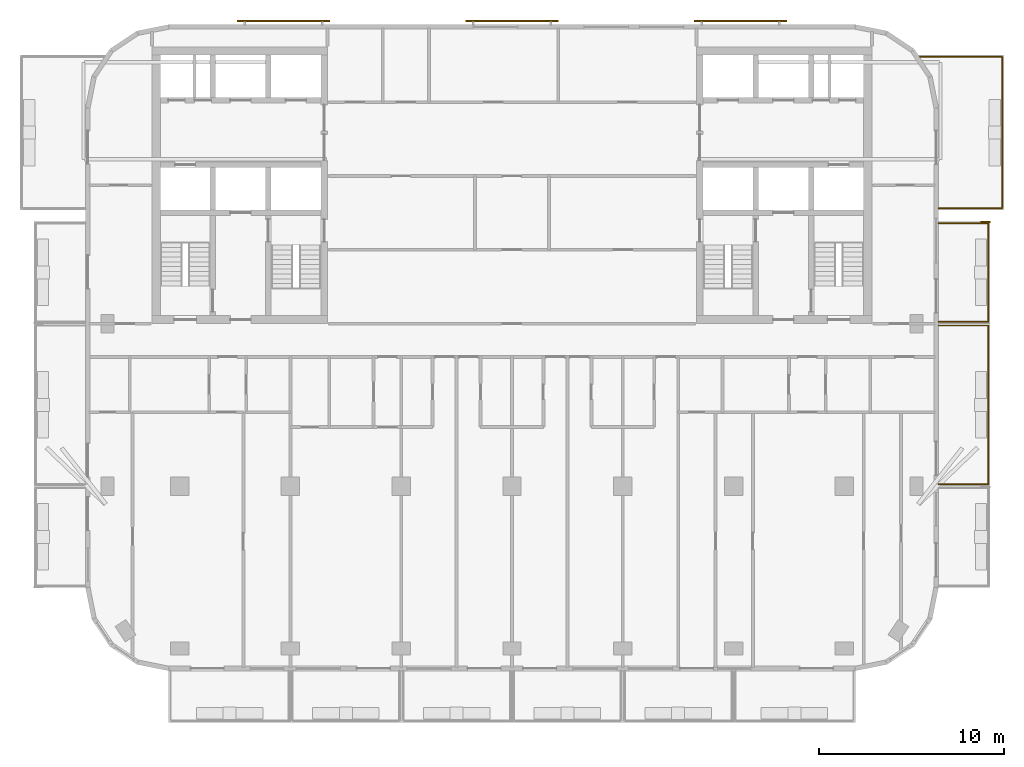
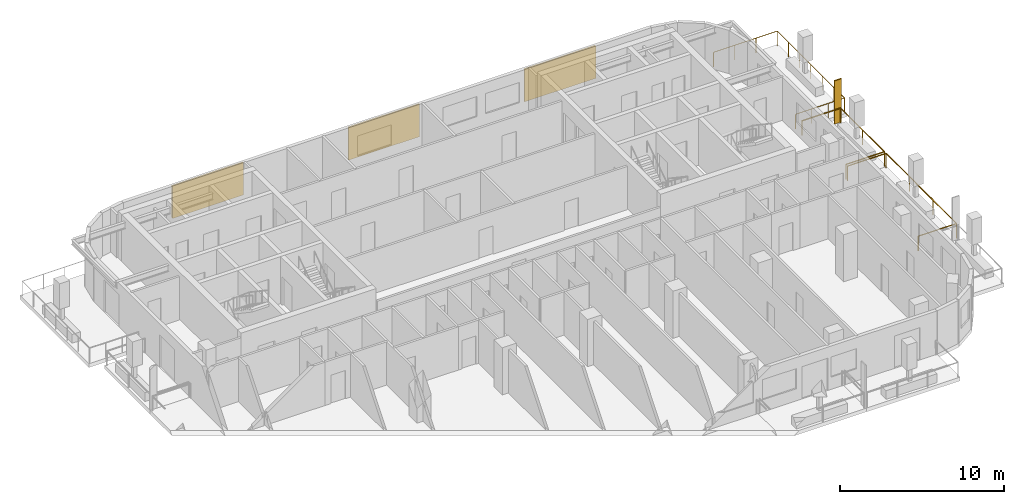
# One storey, part 10 of 11: 4 shading devices, 3 railings.
"""IFC4 building model written with IfcOpenShell, lengths in metres."""

from ifc_helpers import new_model, si_unit, direction, frame, origin, origin_2d, place, context, subcontext, project, spatial, rectangle, circle, extrude, material, layer, layer_set, type_object, element, save


model = new_model("IFC4")

# Units and contexts
model_context = context("Model", 3, precision=1e-05, world=origin(), true_north=direction((0.0, 1.0)))
body_context = subcontext(model_context, "Body", "Model", "MODEL_VIEW")
ifc_project = project(units=[si_unit("LENGTHUNIT", "METRE"), si_unit("AREAUNIT", "SQUARE_METRE"), si_unit("VOLUMEUNIT", "CUBIC_METRE"), si_unit("PLANEANGLEUNIT", "RADIAN"), si_unit("MASSUNIT", "GRAM", prefix="KILO")], contexts=[model_context])

# Site, building, storey
site_placement = place(None, origin())
site = spatial("IfcSite", under=ifc_project, at=site_placement, CompositionType="ELEMENT")
building_placement = place(site_placement, origin())
building = spatial("IfcBuilding", under=site, at=building_placement, Name="Torana Hotel and Residences", CompositionType="ELEMENT")
storey_placement = place(building_placement, frame((0.0, 0.0, 252.60009765625)))
storey = spatial("IfcBuildingStorey", under=building, at=storey_placement, Name="L66", CompositionType="ELEMENT", Elevation=252.60009765625)

# Shading device
ifc_material_1 = material(Name="Black powder coated aluminium", Category="aluminium")
ifc_layer_1 = layer(ifc_material_1, 0.080078125)
ifc_layer_set_1 = layer_set([ifc_layer_1], Name="FN1 VERTICAL FIN 500x80")
shading_device_type_1 = type_object("IfcShadingDeviceType", Name="FN1 VERTICAL FIN 500x80", PredefinedType="USERDEFINED", material=ifc_layer_set_1)
shading_device_placement = place(storey_placement, frame((25.64990234375, -9.489990234375, 0.0), z_axis=(0.0, 0.0, 1.0), x_axis=(0.0, -1.0, 0.0)))
element("IfcShadingDevice", 1, at=shading_device_placement, inside=storey, type_object=shading_device_type_1, Name="Fin 13", ObjectType="FIN", PredefinedType="USERDEFINED", context=body_context, shape_type="SweptSolid", body=[
    extrude(rectangle(XDim=0.080078125, YDim=0.5, at=origin_2d()), origin(), (0.0, 0.0, 1.0), 3.219970703125),
])

# Railings
ifc_material_2 = material(Name="Laminated glass balustrade with black handrail", Category="glass")
railing_type = type_object("IfcRailingType", Name="GR1 BALCONY GUARD 1100 GLASS", PredefinedType="GUARDRAIL", material=ifc_material_2)
railing_1_placement = place(storey_placement, frame((23.10009765625, -15.10009765625, 0.0)))
element("IfcRailing", 2, at=railing_1_placement, inside=storey, type_object=railing_type, Name="Balcony guard 12", PredefinedType="GUARDRAIL", context=body_context, shape_type="SweptSolid", body=[
    extrude(circle(Radius=0.02392578125, at=origin_2d()), frame((0.0, 0.0, 1.076171875), z_axis=(1.0, 0.0, 0.0), x_axis=(0.0, 1.0, 0.0)), (0.0, 0.0, 1.0), 2.699951171875),
    extrude(circle(Radius=0.02392578125, at=origin_2d()), frame((2.699951171875, 0.0, 1.076171875), z_axis=(0.0, -1.0, 0.0), x_axis=(1.0, 0.0, 0.0)), (0.0, 0.0, 1.0), 8.599853515625),
    extrude(circle(Radius=0.02392578125, at=origin_2d()), frame((2.699951171875, -8.599853515625, 1.076171875), z_axis=(-1.0, 0.0, 0.0), x_axis=(0.0, -1.0, 0.0)), (0.0, 0.0, 1.0), 2.699951171875),
    extrude(circle(Radius=0.02099609375, at=origin_2d()), origin(), (0.0, 0.0, 1.0), 1.052001953125),
    extrude(circle(Radius=0.02099609375, at=origin_2d()), frame((2.699951171875, 0.0, 0.0)), (0.0, 0.0, 1.0), 1.052001953125),
    extrude(circle(Radius=0.02099609375, at=origin_2d()), frame((2.699951171875, -2.86669921875, 0.0)), (0.0, 0.0, 1.0), 1.052001953125),
    extrude(circle(Radius=0.02099609375, at=origin_2d()), frame((2.699951171875, -5.733154296875, 0.0)), (0.0, 0.0, 1.0), 1.052001953125),
    extrude(circle(Radius=0.02099609375, at=origin_2d()), frame((2.699951171875, -8.599853515625, 0.0)), (0.0, 0.0, 1.0), 1.052001953125),
    extrude(circle(Radius=0.02099609375, at=origin_2d()), frame((0.0, -8.599853515625, 0.0)), (0.0, 0.0, 1.0), 1.052001953125),
])
railing_2_placement = place(storey_placement, frame((23.10009765625, -9.550048828125, 0.0)))
element("IfcRailing", 3, at=railing_2_placement, inside=storey, type_object=railing_type, Name="Balcony guard 13", PredefinedType="GUARDRAIL", context=body_context, shape_type="SweptSolid", body=[
    extrude(circle(Radius=0.02392578125, at=origin_2d()), frame((0.0, 0.0, 1.076171875), z_axis=(1.0, 0.0, 0.0), x_axis=(0.0, 1.0, 0.0)), (0.0, 0.0, 1.0), 2.699951171875),
    extrude(circle(Radius=0.02392578125, at=origin_2d()), frame((2.699951171875, 0.0, 1.076171875), z_axis=(0.0, -1.0, 0.0), x_axis=(1.0, 0.0, 0.0)), (0.0, 0.0, 1.0), 5.349853515625),
    extrude(circle(Radius=0.02392578125, at=origin_2d()), frame((2.699951171875, -5.349853515625, 1.076171875), z_axis=(-1.0, 0.0, 0.0), x_axis=(0.0, -1.0, 0.0)), (0.0, 0.0, 1.0), 2.699951171875),
    extrude(circle(Radius=0.02099609375, at=origin_2d()), origin(), (0.0, 0.0, 1.0), 1.052001953125),
    extrude(circle(Radius=0.02099609375, at=origin_2d()), frame((2.699951171875, 0.0, 0.0)), (0.0, 0.0, 1.0), 1.052001953125),
    extrude(circle(Radius=0.02099609375, at=origin_2d()), frame((2.699951171875, -2.6748046875, 0.0)), (0.0, 0.0, 1.0), 1.052001953125),
    extrude(circle(Radius=0.02099609375, at=origin_2d()), frame((2.699951171875, -5.349853515625, 0.0)), (0.0, 0.0, 1.0), 1.052001953125),
    extrude(circle(Radius=0.02099609375, at=origin_2d()), frame((0.0, -5.349853515625, 0.0)), (0.0, 0.0, 1.0), 1.052001953125),
])
railing_3_placement = place(storey_placement, frame((22.07080078125, -0.550048828125, 0.0)))
element("IfcRailing", 4, at=railing_3_placement, inside=storey, type_object=railing_type, Name="Balcony guard 14", PredefinedType="GUARDRAIL", context=body_context, shape_type="SweptSolid", body=[
    extrude(circle(Radius=0.02392578125, at=origin_2d()), frame((0.0, 0.0, 1.076171875), z_axis=(1.0, 0.0, 0.0), x_axis=(0.0, 1.0, 0.0)), (0.0, 0.0, 1.0), 4.479248046875),
    extrude(circle(Radius=0.02392578125, at=origin_2d()), frame((4.479248046875, 0.0, 1.076171875), z_axis=(0.0, -1.0, 0.0), x_axis=(1.0, 0.0, 0.0)), (0.0, 0.0, 1.0), 8.199951171875),
    extrude(circle(Radius=0.02392578125, at=origin_2d()), frame((4.479248046875, -8.199951171875, 1.076171875), z_axis=(-1.0, 0.0, 0.0), x_axis=(0.0, -1.0, 0.0)), (0.0, 0.0, 1.0), 3.449951171875),
    extrude(circle(Radius=0.02099609375, at=origin_2d()), origin(), (0.0, 0.0, 1.0), 1.052001953125),
    extrude(circle(Radius=0.02099609375, at=origin_2d()), frame((1.4931640625, 0.0, 0.0)), (0.0, 0.0, 1.0), 1.052001953125),
    extrude(circle(Radius=0.02099609375, at=origin_2d()), frame((2.986083984375, 0.0, 0.0)), (0.0, 0.0, 1.0), 1.052001953125),
    extrude(circle(Radius=0.02099609375, at=origin_2d()), frame((4.479248046875, 0.0, 0.0)), (0.0, 0.0, 1.0), 1.052001953125),
    extrude(circle(Radius=0.02099609375, at=origin_2d()), frame((4.479248046875, -1.36669921875, 0.0)), (0.0, 0.0, 1.0), 1.052001953125),
    extrude(circle(Radius=0.02099609375, at=origin_2d()), frame((4.479248046875, -2.7333984375, 0.0)), (0.0, 0.0, 1.0), 1.052001953125),
    extrude(circle(Radius=0.02099609375, at=origin_2d()), frame((4.479248046875, -4.10009765625, 0.0)), (0.0, 0.0, 1.0), 1.052001953125),
    extrude(circle(Radius=0.02099609375, at=origin_2d()), frame((4.479248046875, -5.466552734375, 0.0)), (0.0, 0.0, 1.0), 1.052001953125),
    extrude(circle(Radius=0.02099609375, at=origin_2d()), frame((4.479248046875, -6.833251953125, 0.0)), (0.0, 0.0, 1.0), 1.052001953125),
    extrude(circle(Radius=0.02099609375, at=origin_2d()), frame((4.479248046875, -8.199951171875, 0.0)), (0.0, 0.0, 1.0), 1.052001953125),
    extrude(circle(Radius=0.02099609375, at=origin_2d()), frame((3.329345703125, -8.199951171875, 0.0)), (0.0, 0.0, 1.0), 1.052001953125),
    extrude(circle(Radius=0.02099609375, at=origin_2d()), frame((2.17919921875, -8.199951171875, 0.0)), (0.0, 0.0, 1.0), 1.052001953125),
    extrude(circle(Radius=0.02099609375, at=origin_2d()), frame((1.029296875, -8.199951171875, 0.0)), (0.0, 0.0, 1.0), 1.052001953125),
])

# Shading devices
ifc_material_3 = material(Name="Concrete C40/50 precast", Category="concrete")
ifc_layer_2 = layer(ifc_material_3, 0.10009765625)
ifc_layer_set_2 = layer_set([ifc_layer_2], Name="SC1 PERFORATED BLOCK SCREEN PANEL 100")
shading_device_type_2 = type_object("IfcShadingDeviceType", Name="SC1 PERFORATED BLOCK SCREEN PANEL 100", PredefinedType="USERDEFINED", material=ifc_layer_set_2)
for number, where, z_axis, x_axis, name in (
    (5, (12.383544921875, 1.39990234375, 0.5), (0.0, 0.0, 1.0), (-1.0, 0.0, 0.0), "Perforated block screen L66"),
    (6, (0.0, 1.39990234375, 0.5), (0.0, 0.0, 1.0), (-1.0, 0.0, 0.0), "Perforated block screen L66"),
    (7, (-12.383544921875, 1.39990234375, 0.5), (0.0, 0.0, 1.0), (-1.0, 0.0, 0.0), "Perforated block screen L66"),
):
    element("IfcShadingDevice", number, at=place(storey_placement, frame(where, z_axis=z_axis, x_axis=x_axis)), inside=storey, type_object=shading_device_type_2, Name=name, ObjectType="SCREEN", PredefinedType="USERDEFINED", context=body_context, shape_type="SweptSolid", body=[
        extrude(rectangle(XDim=5.0, YDim=0.10009765625, at=origin_2d()), origin(), (0.0, 0.0, 1.0), 2.419921875),
    ])

save(model, "model.ifc")
